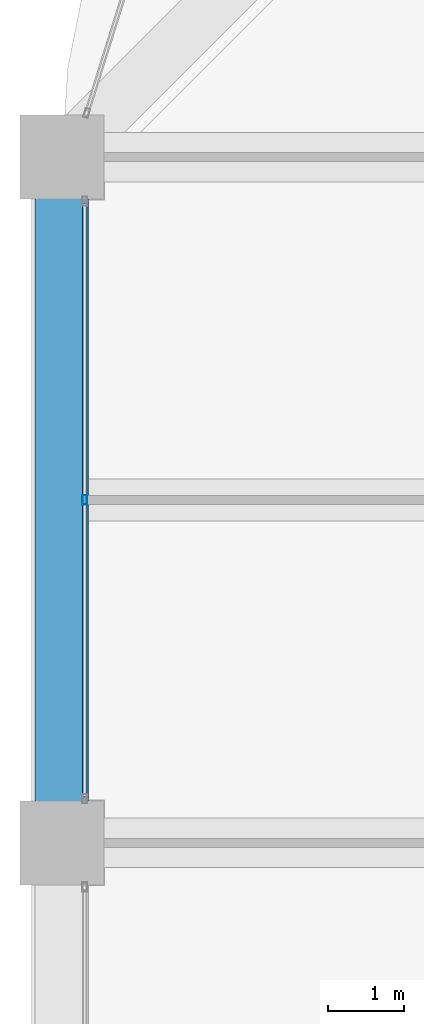
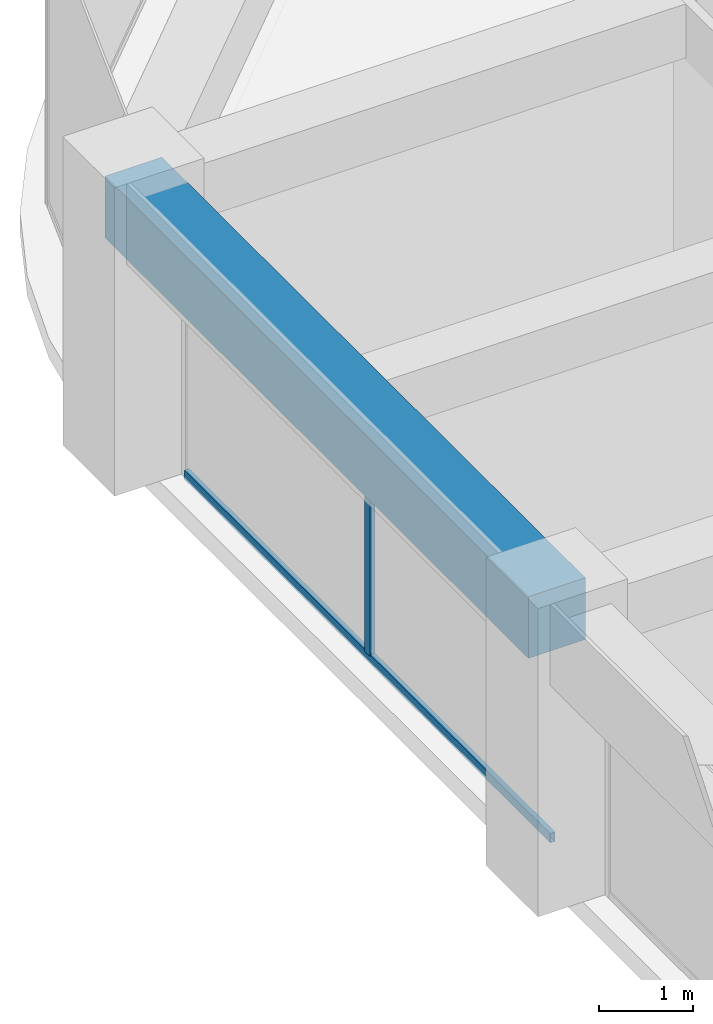
# One storey, part 16 of 44: 2 members, 1 beam, 1 element without a shape of its own.
"""IFC4 building model written with IfcOpenShell, lengths in metres."""

from ifc_helpers import new_model, si_unit, direction, frame, origin, origin_2d, place, context, subcontext, project, spatial, rectangle, hollow_rectangle, extrude, material, material_profile, profile_set, type_object, element, aggregate, save


model = new_model("IFC4")

# Units and contexts
model_context = context("Model", 3, precision=1e-05, world=origin(), true_north=direction((0.0, 1.0)))
body_context = subcontext(model_context, "Body", "Model", "MODEL_VIEW")
ifc_project = project(units=[si_unit("LENGTHUNIT", "METRE"), si_unit("AREAUNIT", "SQUARE_METRE"), si_unit("VOLUMEUNIT", "CUBIC_METRE"), si_unit("PLANEANGLEUNIT", "RADIAN"), si_unit("MASSUNIT", "GRAM", prefix="KILO")], contexts=[model_context])

# Site, building, storey
site_placement = place(None, origin())
site = spatial("IfcSite", under=ifc_project, at=site_placement, CompositionType="ELEMENT")
building_placement = place(site_placement, origin())
building = spatial("IfcBuilding", under=site, at=building_placement, Name="Zorevar Civic Tower", CompositionType="ELEMENT")
storey_placement = place(building_placement, frame((0.0, 0.0, 287.39990234375)))
storey = spatial("IfcBuildingStorey", under=building, at=storey_placement, Name="L70", CompositionType="ELEMENT", Elevation=287.39990234375)

# Curtain wall, members
ifc_material_1 = material(Name="Dark grey solar-control glass in black aluminium frame", Category="aluminium")
curtain_wall_type = type_object("IfcCurtainWallType", Name="Curtain wall CW5 top zone", PredefinedType="NOTDEFINED", material=ifc_material_1)
curtain_wall_placement = place(storey_placement, origin())
curtain_wall = element("IfcCurtainWall", 1, at=curtain_wall_placement, inside=storey, type_object=curtain_wall_type, Name="CW5 L70", PredefinedType="NOTDEFINED")
ifc_material_2 = material(Name="Aluminium, black anodised", Category="aluminium")
ifc_material_profile_1 = material_profile(ifc_material_2, hollow_rectangle(XDim=0.06005859375, YDim=0.1201171875, WallThickness=0.0029296875, at=origin_2d()), Name="AL 120x60x3")
ifc_profile_set_1 = profile_set([ifc_material_profile_1], Name="Aluminium, black anodised")
member_type_1 = type_object("IfcMemberType", Name="CW5 mullion AL 120x60x3", PredefinedType="MULLION", material=ifc_profile_set_1)
member_1_placement = place(storey_placement, frame((9.300048828125, 31.5, 0.06005859375), z_axis=(0.0, 0.0, 1.0), x_axis=(-1.0, 0.0, 0.0)))
member_1 = element("IfcMember", 2, at=member_1_placement, type_object=member_type_1, Name="CW5 mullion 2", PredefinedType="MULLION", context=body_context, shape_type="SweptSolid", body=[
    extrude(hollow_rectangle(XDim=0.06005859375, YDim=0.1201171875, WallThickness=0.0029296875, at=origin_2d()), origin(), (0.0, 0.0, 1.0), 2.89013671875),
])
ifc_material_3 = material(Name="Aluminium, black anodised", Category="aluminium")
ifc_material_profile_2 = material_profile(ifc_material_3, hollow_rectangle(XDim=0.06005859375, YDim=0.1201171875, WallThickness=0.0029296875, at=origin_2d()), Name="AL 120x60x3")
ifc_profile_set_2 = profile_set([ifc_material_profile_2], Name="Aluminium, black anodised")
member_type_2 = type_object("IfcMemberType", Name="CW5 transom AL 120x60x3", PredefinedType="USERDEFINED", material=ifc_profile_set_2)
member_2_placement = place(storey_placement, frame((9.300048828125, 27.610107421875, 0.030029296875), z_axis=(0.0, 1.0, 0.0), x_axis=(-1.0, 0.0, 0.0)))
member_2 = element("IfcMember", 3, at=member_2_placement, type_object=member_type_2, Name="CW5 sill transom", ObjectType="TRANSOM", PredefinedType="USERDEFINED", context=body_context, shape_type="SweptSolid", body=[
    extrude(hollow_rectangle(XDim=0.06005859375, YDim=0.1201171875, WallThickness=0.0029296875, at=origin_2d()), origin(), (0.0, 0.0, 1.0), 7.77978515625),
])
aggregate(curtain_wall, [member_1, member_2])

# Beam
ifc_material_4 = material(Name="Concrete C50/60", Category="concrete")
ifc_material_profile_3 = material_profile(ifc_material_4, rectangle(XDim=0.699951171875, YDim=0.800048828125, at=origin_2d()), Name="RC 700x800")
ifc_profile_set_3 = profile_set([ifc_material_profile_3], Name="Concrete C50/60")
beam_type = type_object("IfcBeamType", Name="Edge beam RC 700x800", PredefinedType="SPANDREL", material=ifc_profile_set_3)
beam_placement = place(storey_placement, frame((9.0, 27.0, 3.35009765625), z_axis=(0.0, 1.0, 0.0), x_axis=(-1.0, 0.0, 0.0)))
element("IfcBeam", 4, at=beam_placement, inside=storey, type_object=beam_type, Name="Edge beam L71", PredefinedType="SPANDREL", context=body_context, shape_type="SweptSolid", body=[
    extrude(rectangle(XDim=0.699951171875, YDim=0.800048828125, at=origin_2d()), origin(), (0.0, 0.0, 1.0), 9.0),
])

save(model, "model.ifc")
